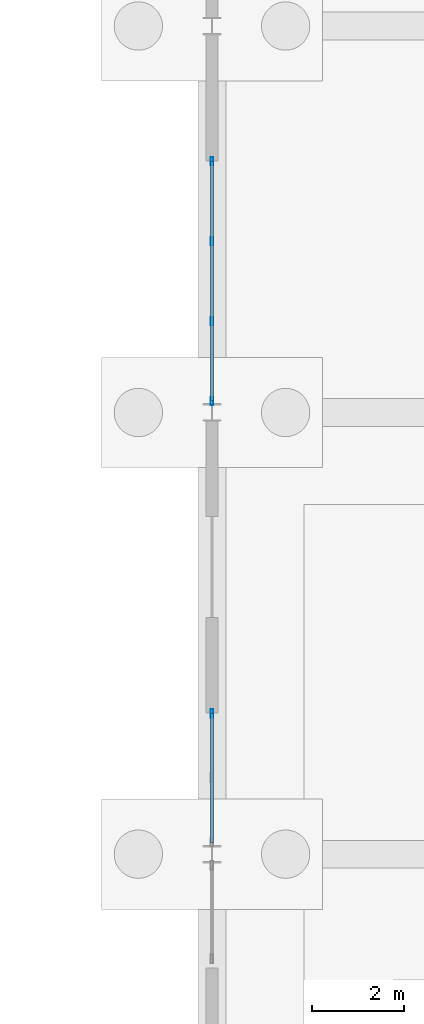
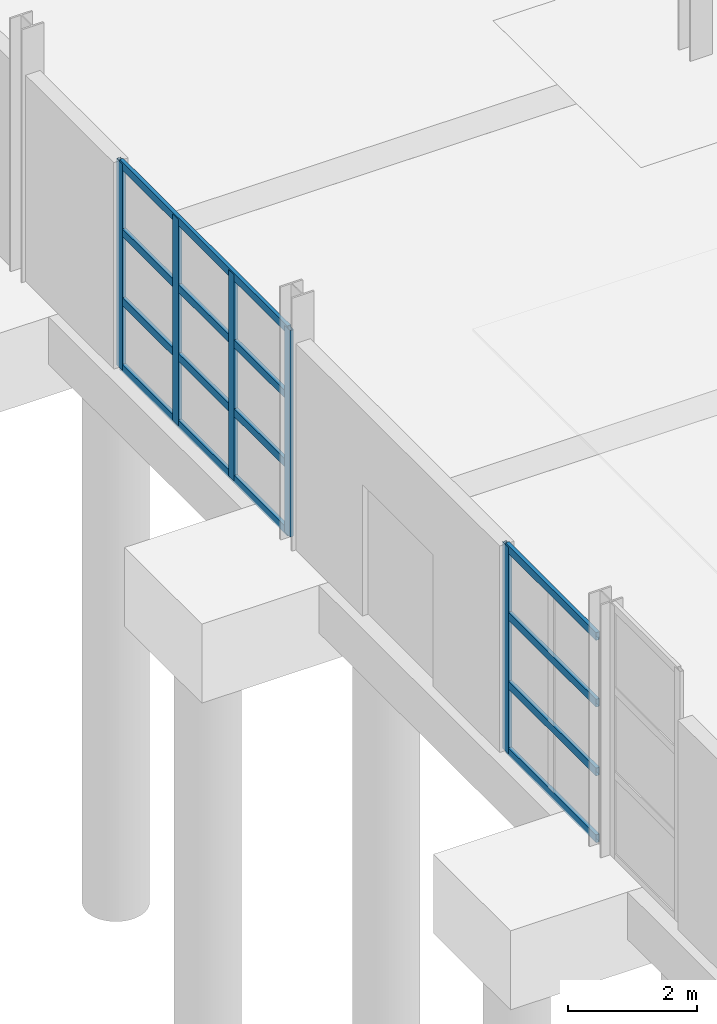
# One storey, part 31 of 82: 13 members, 2 elements without a shape of their own.
"""IFC4 building model written with IfcOpenShell, lengths in metres."""

from ifc_helpers import new_model, si_unit, direction, frame, origin, origin_2d, place, context, subcontext, project, spatial, hollow_rectangle, extrude, material, material_profile, profile_set, type_object, element, aggregate, save


model = new_model("IFC4")

# Units and contexts
model_context = context("Model", 3, precision=1e-05, world=origin(), true_north=direction((0.0, 1.0)))
body_context = subcontext(model_context, "Body", "Model", "MODEL_VIEW")
ifc_project = project(units=[si_unit("LENGTHUNIT", "METRE"), si_unit("AREAUNIT", "SQUARE_METRE"), si_unit("VOLUMEUNIT", "CUBIC_METRE"), si_unit("PLANEANGLEUNIT", "RADIAN"), si_unit("MASSUNIT", "GRAM", prefix="KILO")], contexts=[model_context])

# Site, building, storey
site_placement = place(None, origin())
site = spatial("IfcSite", under=ifc_project, at=site_placement, CompositionType="ELEMENT")
building_placement = place(site_placement, origin())
building = spatial("IfcBuilding", under=site, at=building_placement, Name="Kelmvaro Bay Concert Hall", CompositionType="ELEMENT")
storey_placement = place(building_placement, origin())
storey = spatial("IfcBuildingStorey", under=building, at=storey_placement, Name="L00", CompositionType="ELEMENT", Elevation=0.0)

# Curtain wall, member
ifc_material_1 = material(Name="Anodised Aluminium and Low-E Insulated Glazing", Category="aluminium")
curtain_wall_type = type_object("IfcCurtainWallType", Name="Foyer Ground Hurricane Curtain Wall 4400", PredefinedType="USERDEFINED", material=ifc_material_1)
curtain_wall_1_placement = place(storey_placement, origin())
curtain_wall_1 = element("IfcCurtainWall", 1, at=curtain_wall_1_placement, inside=storey, type_object=curtain_wall_type, Name="Unitised Curtain Wall CW-L00-101", ObjectType="UNITISED GLAZING", PredefinedType="USERDEFINED")
ifc_material_2 = material(Name="Anodised Extruded Aluminium 6063-T6", Category="aluminium")
ifc_material_profile_1 = material_profile(ifc_material_2, hollow_rectangle(XDim=0.06494140625, YDim=0.179931640625, WallThickness=0.00390625, at=origin_2d()), Name="ALU-MUL-180X65")
ifc_profile_set_1 = profile_set([ifc_material_profile_1], Name="Anodised Extruded Aluminium 6063-T6")
member_type_1 = type_object("IfcMemberType", Name="Curtain Mullion ALU 180x65", PredefinedType="MULLION", material=ifc_profile_set_1)
member_1_placement = place(storey_placement, frame((108.0, 50.4599609375, 0.0), z_axis=(0.0, 0.0, 1.0), x_axis=(1.0, 0.0, 0.0)))
member_1 = element("IfcMember", 2, at=member_1_placement, type_object=member_type_1, Name="CW-L00-101 Mullion 03", PredefinedType="MULLION", context=body_context, shape_type="SweptSolid", body=[
    extrude(hollow_rectangle(XDim=0.06494140625, YDim=0.179931640625, WallThickness=0.00390625, at=origin_2d()), origin(), (0.0, 0.0, 1.0), 3.9189453125),
])

# Curtain wall, members
curtain_wall_2_placement = place(storey_placement, origin())
curtain_wall_2 = element("IfcCurtainWall", 3, at=curtain_wall_2_placement, inside=storey, type_object=curtain_wall_type, Name="Unitised Curtain Wall CW-L00-103", ObjectType="UNITISED GLAZING", PredefinedType="USERDEFINED")
member_2_placement = place(storey_placement, frame((108.0, 57.24560546875, 0.0), z_axis=(0.0, 0.0, 1.0), x_axis=(1.0, 0.0, 0.0)))
member_2 = element("IfcMember", 4, at=member_2_placement, type_object=member_type_1, Name="CW-L00-103 Mullion 01", PredefinedType="MULLION", context=body_context, shape_type="SweptSolid", body=[
    extrude(hollow_rectangle(XDim=0.06494140625, YDim=0.179931640625, WallThickness=0.00390625, at=origin_2d()), origin(), (0.0, 0.0, 1.0), 3.91796875),
])
member_3_placement = place(storey_placement, frame((108.0, 58.983642578125, 0.0), z_axis=(0.0, 0.0, 1.0), x_axis=(1.0, 0.0, 0.0)))
member_3 = element("IfcMember", 5, at=member_3_placement, type_object=member_type_1, Name="CW-L00-103 Mullion 02", PredefinedType="MULLION", context=body_context, shape_type="SweptSolid", body=[
    extrude(hollow_rectangle(XDim=0.06494140625, YDim=0.179931640625, WallThickness=0.00390625, at=origin_2d()), origin(), (0.0, 0.0, 1.0), 3.91796875),
])
member_4_placement = place(storey_placement, frame((108.0, 60.7216796875, 0.0), z_axis=(0.0, 0.0, 1.0), x_axis=(1.0, 0.0, 0.0)))
member_4 = element("IfcMember", 6, at=member_4_placement, type_object=member_type_1, Name="CW-L00-103 Mullion 03", PredefinedType="MULLION", context=body_context, shape_type="SweptSolid", body=[
    extrude(hollow_rectangle(XDim=0.06494140625, YDim=0.179931640625, WallThickness=0.00390625, at=origin_2d()), origin(), (0.0, 0.0, 1.0), 3.91796875),
])
member_5_placement = place(storey_placement, frame((108.0, 62.4599609375, 0.0), z_axis=(0.0, 0.0, 1.0), x_axis=(1.0, 0.0, 0.0)))
member_5 = element("IfcMember", 7, at=member_5_placement, type_object=member_type_1, Name="CW-L00-103 Mullion 04", PredefinedType="MULLION", context=body_context, shape_type="SweptSolid", body=[
    extrude(hollow_rectangle(XDim=0.06494140625, YDim=0.179931640625, WallThickness=0.00390625, at=origin_2d()), origin(), (0.0, 0.0, 1.0), 3.91796875),
])

# Member
ifc_material_3 = material(Name="Anodised Extruded Aluminium 6063-T6", Category="aluminium")
ifc_material_profile_2 = material_profile(ifc_material_3, hollow_rectangle(XDim=0.06494140625, YDim=0.14990234375, WallThickness=0.00390625, at=origin_2d()), Name="ALU-TRN-150X65")
ifc_profile_set_2 = profile_set([ifc_material_profile_2], Name="Anodised Extruded Aluminium 6063-T6")
member_type_2 = type_object("IfcMemberType", Name="Curtain Transom ALU 150x65", PredefinedType="USERDEFINED", material=ifc_profile_set_2)
member_6_placement = place(storey_placement, frame((108.0, 47.6455078125, 0.0400390625), z_axis=(0.0, 1.0, 0.0), x_axis=(-1.0, 0.0, 0.0)))
member_6 = element("IfcMember", 8, at=member_6_placement, type_object=member_type_2, Name="CW-L00-101 Transom 01", ObjectType="TRANSOM", PredefinedType="USERDEFINED", context=body_context, shape_type="SweptSolid", body=[
    extrude(hollow_rectangle(XDim=0.06494140625, YDim=0.14990234375, WallThickness=0.00390625, at=origin_2d()), origin(), (0.0, 0.0, 1.0), 2.814453125),
])

member_7_placement = place(storey_placement, frame((108.0, 47.6455078125, 1.306396484375), z_axis=(0.0, 1.0, 0.0), x_axis=(-1.0, 0.0, 0.0)))
member_7 = element("IfcMember", 9, at=member_7_placement, type_object=member_type_2, Name="CW-L00-101 Transom 02", ObjectType="TRANSOM", PredefinedType="USERDEFINED", context=body_context, shape_type="SweptSolid", body=[
    extrude(hollow_rectangle(XDim=0.06494140625, YDim=0.14990234375, WallThickness=0.00390625, at=origin_2d()), origin(), (0.0, 0.0, 1.0), 2.814453125),
])

member_8_placement = place(storey_placement, frame((108.0, 47.6455078125, 2.61279296875), z_axis=(0.0, 1.0, 0.0), x_axis=(-1.0, 0.0, 0.0)))
member_8 = element("IfcMember", 10, at=member_8_placement, type_object=member_type_2, Name="CW-L00-101 Transom 03", ObjectType="TRANSOM", PredefinedType="USERDEFINED", context=body_context, shape_type="SweptSolid", body=[
    extrude(hollow_rectangle(XDim=0.06494140625, YDim=0.14990234375, WallThickness=0.00390625, at=origin_2d()), origin(), (0.0, 0.0, 1.0), 2.814453125),
])

member_9_placement = place(storey_placement, frame((108.0, 47.6455078125, 3.87890625), z_axis=(0.0, 1.0, 0.0), x_axis=(-1.0, 0.0, 0.0)))
member_9 = element("IfcMember", 11, at=member_9_placement, type_object=member_type_2, Name="CW-L00-101 Transom 04", ObjectType="TRANSOM", PredefinedType="USERDEFINED", context=body_context, shape_type="SweptSolid", body=[
    extrude(hollow_rectangle(XDim=0.06494140625, YDim=0.14990234375, WallThickness=0.00390625, at=origin_2d()), origin(), (0.0, 0.0, 1.0), 2.814453125),
])

aggregate(curtain_wall_1, [member_1, member_6, member_7, member_8, member_9])

member_10_placement = place(storey_placement, frame((108.0, 57.24560546875, 0.0400390625), z_axis=(0.0, 1.0, 0.0), x_axis=(-1.0, 0.0, 0.0)))
member_10 = element("IfcMember", 12, at=member_10_placement, type_object=member_type_2, Name="CW-L00-103 Transom 01", ObjectType="TRANSOM", PredefinedType="USERDEFINED", context=body_context, shape_type="SweptSolid", body=[
    extrude(hollow_rectangle(XDim=0.06494140625, YDim=0.14990234375, WallThickness=0.00390625, at=origin_2d()), origin(), (0.0, 0.0, 1.0), 5.21435546875),
])

member_11_placement = place(storey_placement, frame((108.0, 57.24560546875, 1.305908203125), z_axis=(0.0, 1.0, 0.0), x_axis=(-1.0, 0.0, 0.0)))
member_11 = element("IfcMember", 13, at=member_11_placement, type_object=member_type_2, Name="CW-L00-103 Transom 02", ObjectType="TRANSOM", PredefinedType="USERDEFINED", context=body_context, shape_type="SweptSolid", body=[
    extrude(hollow_rectangle(XDim=0.06494140625, YDim=0.14990234375, WallThickness=0.00390625, at=origin_2d()), origin(), (0.0, 0.0, 1.0), 5.21435546875),
])

member_12_placement = place(storey_placement, frame((108.0, 57.24560546875, 2.612060546875), z_axis=(0.0, 1.0, 0.0), x_axis=(-1.0, 0.0, 0.0)))
member_12 = element("IfcMember", 14, at=member_12_placement, type_object=member_type_2, Name="CW-L00-103 Transom 03", ObjectType="TRANSOM", PredefinedType="USERDEFINED", context=body_context, shape_type="SweptSolid", body=[
    extrude(hollow_rectangle(XDim=0.06494140625, YDim=0.14990234375, WallThickness=0.00390625, at=origin_2d()), origin(), (0.0, 0.0, 1.0), 5.21435546875),
])

member_13_placement = place(storey_placement, frame((108.0, 57.24560546875, 3.8779296875), z_axis=(0.0, 1.0, 0.0), x_axis=(-1.0, 0.0, 0.0)))
member_13 = element("IfcMember", 15, at=member_13_placement, type_object=member_type_2, Name="CW-L00-103 Transom 04", ObjectType="TRANSOM", PredefinedType="USERDEFINED", context=body_context, shape_type="SweptSolid", body=[
    extrude(hollow_rectangle(XDim=0.06494140625, YDim=0.14990234375, WallThickness=0.00390625, at=origin_2d()), origin(), (0.0, 0.0, 1.0), 5.21435546875),
])

aggregate(curtain_wall_2, [member_2, member_3, member_4, member_5, member_10, member_11, member_12, member_13])

save(model, "model.ifc")
